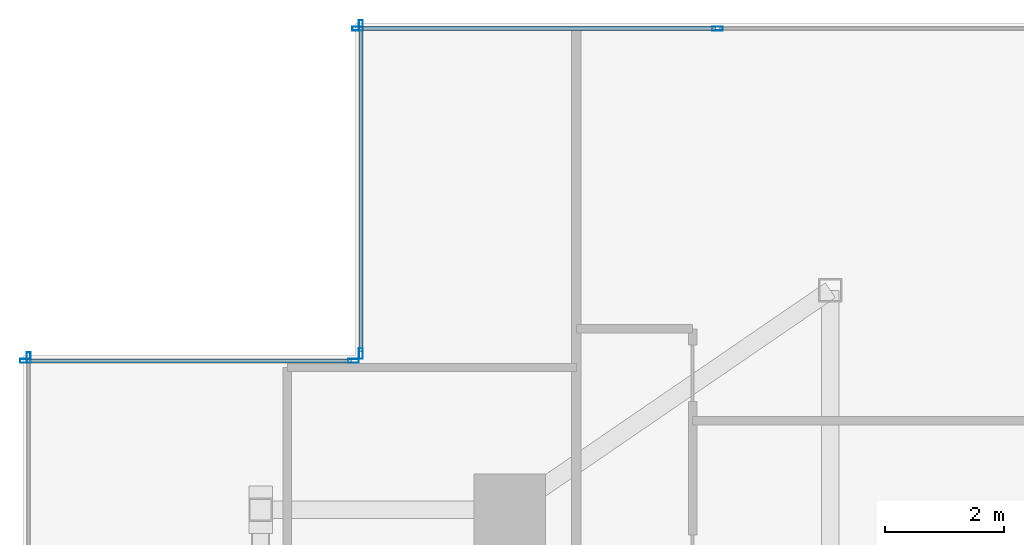
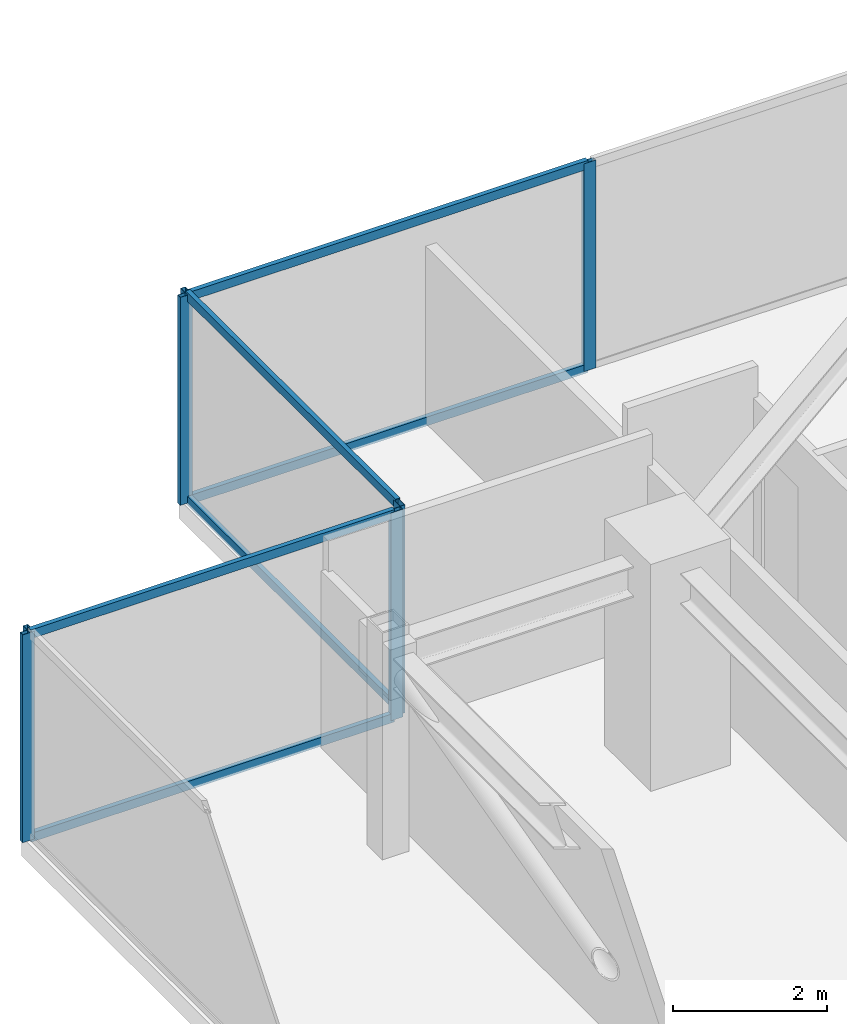
# One storey, part 12 of 16: 13 members, 4 elements without a shape of their own.
"""IFC4 building model written with IfcOpenShell, lengths in metres."""

from ifc_helpers import new_model, si_unit, direction, frame, origin, origin_2d, place, context, subcontext, project, spatial, hollow_rectangle, extrude, source, transform, mapped, material, material_profile, profile_set, type_object, type_shapes, element, aggregate, save


model = new_model("IFC4")

# Units and contexts
model_context = context("Model", 3, precision=1e-05, world=origin(), true_north=direction((0.0, 1.0)))
body_context = subcontext(model_context, "Body", "Model", "MODEL_VIEW")
ifc_project = project(units=[si_unit("LENGTHUNIT", "METRE"), si_unit("AREAUNIT", "SQUARE_METRE"), si_unit("VOLUMEUNIT", "CUBIC_METRE"), si_unit("PLANEANGLEUNIT", "RADIAN"), si_unit("MASSUNIT", "GRAM", prefix="KILO")], contexts=[model_context])

# Site, building, storey
site_placement = place(None, origin())
site = spatial("IfcSite", under=ifc_project, at=site_placement, CompositionType="ELEMENT")
building_placement = place(site_placement, origin())
building = spatial("IfcBuilding", under=site, at=building_placement, Name="Krantzveldt Concourse Tower", CompositionType="ELEMENT")
storey_placement = place(building_placement, frame((0.0, 0.0, 378.25)))
storey = spatial("IfcBuildingStorey", under=building, at=storey_placement, Name="L93", CompositionType="ELEMENT", Elevation=378.25)

# Curtain wall, members
ifc_material = material(Name="Anodised aluminium 6063-T6", Category="aluminium")
curtain_wall_type = type_object("IfcCurtainWallType", Name="CW7", PredefinedType="USERDEFINED", material=ifc_material)
curtain_wall_1_placement = place(storey_placement, origin())
curtain_wall_1 = element("IfcCurtainWall", 1, at=curtain_wall_1_placement, inside=storey, type_object=curtain_wall_type, Name="CW-L93-WEST-03", ObjectType="UNITISED CURTAIN WALL", PredefinedType="USERDEFINED")
ifc_material_profile_1 = material_profile(ifc_material, hollow_rectangle(XDim=0.070068359375, YDim=0.139892578125, WallThickness=0.0048828125, at=origin_2d()), Name="Anodised aluminium 6063-T6", Category="aluminium")
ifc_profile_set_1 = profile_set([ifc_material_profile_1], Name="Anodised aluminium 6063-T6 - ALU-TRAN 140x70x5")
member_type_1 = type_object("IfcMemberType", Name="CW-TRN-150", PredefinedType="USERDEFINED", material=ifc_profile_set_1)
shared_shape_1 = source(origin(), body_context, "Body", "SweptSolid", [
    extrude(hollow_rectangle(XDim=0.070068359375, YDim=0.139892578125, WallThickness=0.0048828125, at=origin_2d()), origin(), (0.0, 0.0, 1.0), 5.4599609375),
])
member_1_placement = place(storey_placement, frame((22.68994140625, 45.6298828125, 0.034912109375), z_axis=(0.0, -1.0, 0.0), x_axis=(1.0, 0.0, 0.0)))
member_1 = element("IfcMember", 2, at=member_1_placement, type_object=member_type_1, Name="CW-CRN transom 1.1", ObjectType="TRANSOM", PredefinedType="USERDEFINED", context=body_context, shape_type="MappedRepresentation", body=[
    mapped(shared_shape_1, transform((0.0, 0.0, 0.0), x_axis=(1.0, 0.0, 0.0), y_axis=(0.0, 1.0, 0.0), z_axis=(0.0, 0.0, 1.0), scale=1.0)),
])
member_2_placement = place(storey_placement, frame((22.68994140625, 45.6298828125, 3.264892578125), z_axis=(0.0, -1.0, 0.0), x_axis=(1.0, 0.0, 0.0)))
member_2 = element("IfcMember", 3, at=member_2_placement, type_object=member_type_1, Name="CW-CRN transom 1.2", ObjectType="TRANSOM", PredefinedType="USERDEFINED", context=body_context, shape_type="MappedRepresentation", body=[
    mapped(shared_shape_1, transform((0.0, 0.0, 0.0), x_axis=(1.0, 0.0, 0.0), y_axis=(0.0, 1.0, 0.0), z_axis=(0.0, 0.0, 1.0), scale=1.0)),
])

curtain_wall_2_placement = place(storey_placement, origin())
curtain_wall_2 = element("IfcCurtainWall", 4, at=curtain_wall_2_placement, inside=storey, type_object=curtain_wall_type, Name="CW-L93-WEST-04", ObjectType="UNITISED CURTAIN WALL", PredefinedType="USERDEFINED")
member_3_placement = place(storey_placement, frame((22.530029296875, 40.010009765625, 0.034912109375), z_axis=(-1.0, 0.0, 0.0), x_axis=(0.0, -1.0, 0.0)))
member_3 = element("IfcMember", 5, at=member_3_placement, type_object=member_type_1, Name="CW-CRN transom 1.1", ObjectType="TRANSOM", PredefinedType="USERDEFINED", context=body_context, shape_type="MappedRepresentation", body=[
    mapped(shared_shape_1, transform((0.0, 0.0, 0.0), x_axis=(1.0, 0.0, 0.0), y_axis=(0.0, 1.0, 0.0), z_axis=(0.0, 0.0, 1.0), scale=1.0)),
])
member_4_placement = place(storey_placement, frame((22.530029296875, 40.010009765625, 3.264892578125), z_axis=(-1.0, 0.0, 0.0), x_axis=(0.0, -1.0, 0.0)))
member_4 = element("IfcMember", 6, at=member_4_placement, type_object=member_type_1, Name="CW-CRN transom 1.2", ObjectType="TRANSOM", PredefinedType="USERDEFINED", context=body_context, shape_type="MappedRepresentation", body=[
    mapped(shared_shape_1, transform((0.0, 0.0, 0.0), x_axis=(1.0, 0.0, 0.0), y_axis=(0.0, 1.0, 0.0), z_axis=(0.0, 0.0, 1.0), scale=1.0)),
])

curtain_wall_3_placement = place(storey_placement, origin())
curtain_wall_3 = element("IfcCurtainWall", 7, at=curtain_wall_3_placement, inside=storey, type_object=curtain_wall_type, Name="CW-L93-WEST-02", ObjectType="UNITISED CURTAIN WALL", PredefinedType="USERDEFINED")
shared_shape_2 = source(origin(), body_context, "Body", "SweptSolid", [
    extrude(hollow_rectangle(XDim=0.070068359375, YDim=0.139892578125, WallThickness=0.0048828125, at=origin_2d()), origin(), (0.0, 0.0, 1.0), 5.9951171875),
])
type_shapes(member_type_1, [shared_shape_1, shared_shape_2])
member_5_placement = place(storey_placement, frame((28.6650390625, 45.610107421875, 0.034912109375), z_axis=(-1.0, 0.0, 0.0), x_axis=(0.0, -1.0, 0.0)))
member_5 = element("IfcMember", 8, at=member_5_placement, type_object=member_type_1, Name="CW-CRN transom 2.1", ObjectType="TRANSOM", PredefinedType="USERDEFINED", context=body_context, shape_type="MappedRepresentation", body=[
    mapped(shared_shape_2, transform((0.0, 0.0, 0.0), x_axis=(1.0, 0.0, 0.0), y_axis=(0.0, 1.0, 0.0), z_axis=(0.0, 0.0, 1.0), scale=1.0)),
])
member_6_placement = place(storey_placement, frame((28.6650390625, 45.610107421875, 3.264892578125), z_axis=(-1.0, 0.0, 0.0), x_axis=(0.0, -1.0, 0.0)))
member_6 = element("IfcMember", 9, at=member_6_placement, type_object=member_type_1, Name="CW-CRN transom 2.2", ObjectType="TRANSOM", PredefinedType="USERDEFINED", context=body_context, shape_type="MappedRepresentation", body=[
    mapped(shared_shape_2, transform((0.0, 0.0, 0.0), x_axis=(1.0, 0.0, 0.0), y_axis=(0.0, 1.0, 0.0), z_axis=(0.0, 0.0, 1.0), scale=1.0)),
])
ifc_material_profile_2 = material_profile(ifc_material, hollow_rectangle(XDim=0.070068359375, YDim=0.179931640625, WallThickness=0.0048828125, at=origin_2d()), Name="Anodised aluminium 6063-T6", Category="aluminium")
ifc_profile_set_2 = profile_set([ifc_material_profile_2], Name="Anodised aluminium 6063-T6 - ALU-MULL 180x70x5")
member_type_2 = type_object("IfcMemberType", Name="CW-MUL-180", PredefinedType="MULLION", material=ifc_profile_set_2)
shared_shape_3 = source(origin(), body_context, "Body", "SweptSolid", [
    extrude(hollow_rectangle(XDim=0.070068359375, YDim=0.179931640625, WallThickness=0.0048828125, at=origin_2d()), origin(), (0.0, 0.0, 1.0), 3.300048828125),
])
type_shapes(member_type_2, [shared_shape_3])
member_7_placement = place(storey_placement, frame((28.699951171875, 45.610107421875, 0.0), z_axis=(0.0, 0.0, 1.0), x_axis=(0.0, -1.0, 0.0)))
member_7 = element("IfcMember", 10, at=member_7_placement, type_object=member_type_2, Name="CW-CRN mullion 2", PredefinedType="MULLION", context=body_context, shape_type="MappedRepresentation", body=[
    mapped(shared_shape_3, transform((0.0, 0.0, 0.0), x_axis=(1.0, 0.0, 0.0), y_axis=(0.0, 1.0, 0.0), z_axis=(0.0, 0.0, 1.0), scale=1.0)),
])
member_8_placement = place(storey_placement, frame((22.635009765625, 45.610107421875, 0.0), z_axis=(0.0, 0.0, 1.0), x_axis=(0.0, -1.0, 0.0)))
member_8 = element("IfcMember", 11, at=member_8_placement, type_object=member_type_2, Name="CW-CRN mullion 3", PredefinedType="MULLION", context=body_context, shape_type="MappedRepresentation", body=[
    mapped(shared_shape_3, transform((0.0, 0.0, 0.0), x_axis=(1.0, 0.0, 0.0), y_axis=(0.0, 1.0, 0.0), z_axis=(0.0, 0.0, 1.0), scale=1.0)),
])
aggregate(curtain_wall_3, [member_7, member_8, member_5, member_6])

# Member
member_9_placement = place(storey_placement, frame((22.68994140625, 45.6650390625, 0.0), z_axis=(0.0, 0.0, 1.0), x_axis=(1.0, 0.0, 0.0)))
member_9 = element("IfcMember", 12, at=member_9_placement, type_object=member_type_2, Name="CW-CRN mullion 1", PredefinedType="MULLION", context=body_context, shape_type="MappedRepresentation", body=[
    mapped(shared_shape_3, transform((0.0, 0.0, 0.0), x_axis=(1.0, 0.0, 0.0), y_axis=(0.0, 1.0, 0.0), z_axis=(0.0, 0.0, 1.0), scale=1.0)),
])

member_10_placement = place(storey_placement, frame((22.68994140625, 40.135009765625, 0.0), z_axis=(0.0, 0.0, 1.0), x_axis=(1.0, 0.0, 0.0)))
member_10 = element("IfcMember", 13, at=member_10_placement, type_object=member_type_2, Name="CW-CRN mullion 2", PredefinedType="MULLION", context=body_context, shape_type="MappedRepresentation", body=[
    mapped(shared_shape_3, transform((0.0, 0.0, 0.0), x_axis=(1.0, 0.0, 0.0), y_axis=(0.0, 1.0, 0.0), z_axis=(0.0, 0.0, 1.0), scale=1.0)),
])

aggregate(curtain_wall_1, [member_9, member_10, member_1, member_2])

member_11_placement = place(storey_placement, frame((22.56494140625, 40.010009765625, 0.0), z_axis=(0.0, 0.0, 1.0), x_axis=(0.0, -1.0, 0.0)))
member_11 = element("IfcMember", 14, at=member_11_placement, type_object=member_type_2, Name="CW-CRN mullion 1", PredefinedType="MULLION", context=body_context, shape_type="MappedRepresentation", body=[
    mapped(shared_shape_3, transform((0.0, 0.0, 0.0), x_axis=(1.0, 0.0, 0.0), y_axis=(0.0, 1.0, 0.0), z_axis=(0.0, 0.0, 1.0), scale=1.0)),
])

member_12_placement = place(storey_placement, frame((17.034912109375, 40.010009765625, 0.0), z_axis=(0.0, 0.0, 1.0), x_axis=(0.0, -1.0, 0.0)))
member_12 = element("IfcMember", 15, at=member_12_placement, type_object=member_type_2, Name="CW-CRN mullion 2", PredefinedType="MULLION", context=body_context, shape_type="MappedRepresentation", body=[
    mapped(shared_shape_3, transform((0.0, 0.0, 0.0), x_axis=(1.0, 0.0, 0.0), y_axis=(0.0, 1.0, 0.0), z_axis=(0.0, 0.0, 1.0), scale=1.0)),
])

aggregate(curtain_wall_2, [member_11, member_12, member_3, member_4])

# Curtain wall, member
curtain_wall_4_placement = place(storey_placement, origin())
curtain_wall_4 = element("IfcCurtainWall", 16, at=curtain_wall_4_placement, inside=storey, type_object=curtain_wall_type, Name="CW-L93-WEST-05", ObjectType="UNITISED CURTAIN WALL", PredefinedType="USERDEFINED")
member_13_placement = place(storey_placement, frame((17.090087890625, 40.06494140625, 0.0), z_axis=(0.0, 0.0, 1.0), x_axis=(1.0, 0.0, 0.0)))
member_13 = element("IfcMember", 17, at=member_13_placement, type_object=member_type_2, Name="CW-CRN mullion 1", PredefinedType="MULLION", context=body_context, shape_type="MappedRepresentation", body=[
    mapped(shared_shape_3, transform((0.0, 0.0, 0.0), x_axis=(1.0, 0.0, 0.0), y_axis=(0.0, 1.0, 0.0), z_axis=(0.0, 0.0, 1.0), scale=1.0)),
])
aggregate(curtain_wall_4, [member_13])

save(model, "model.ifc")
